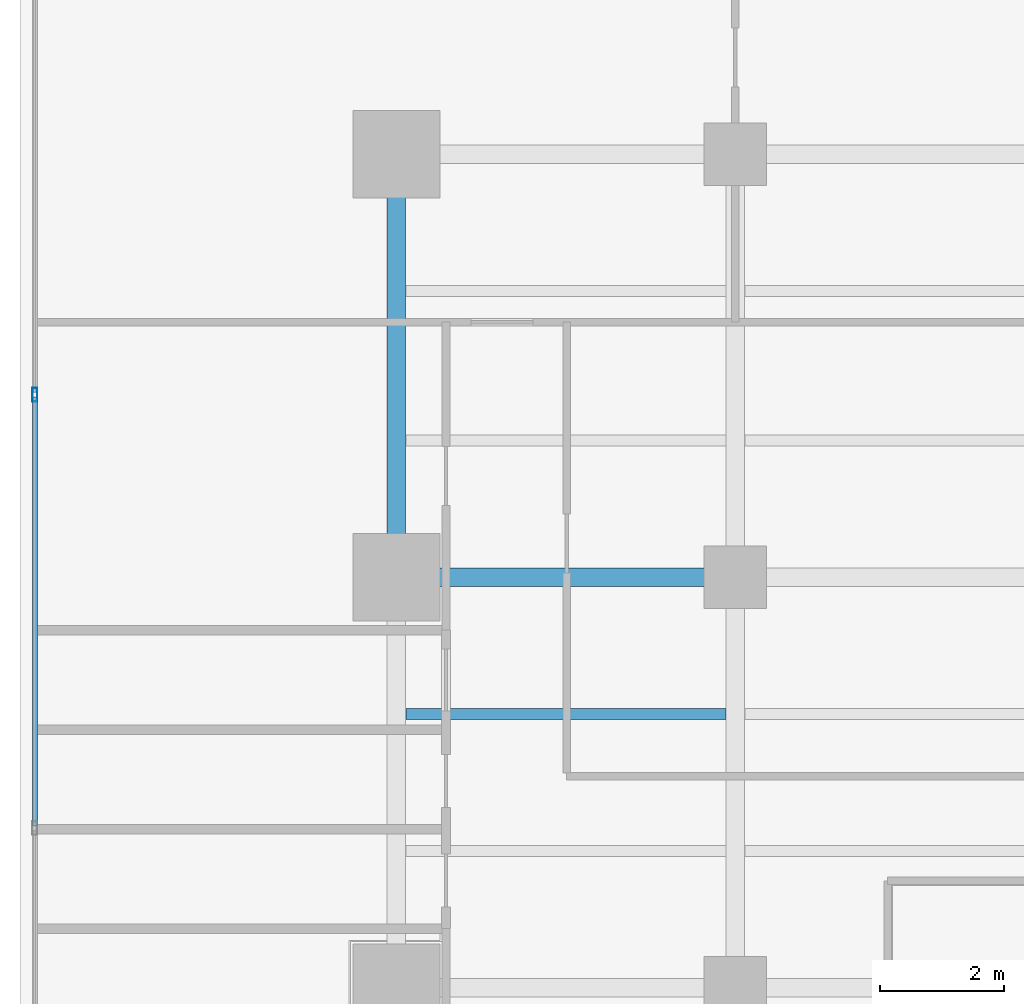
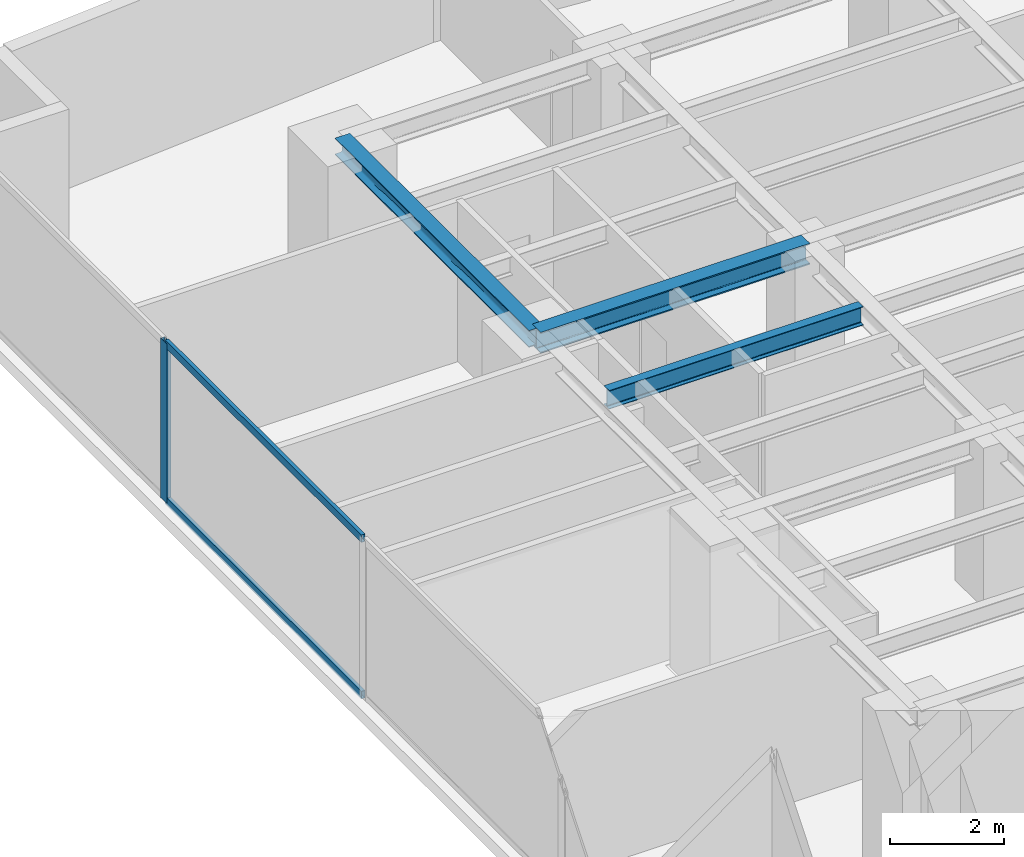
# One storey, part 14 of 25: 3 beams, 3 members, 1 element without a shape of its own.
"""IFC4 building model written with IfcOpenShell, lengths in metres."""

from ifc_helpers import new_model, si_unit, direction, frame, origin, origin_with_axes, origin_2d, place, context, subcontext, project, spatial, hollow_rectangle, i_section, extrude, source, transform, mapped, material, layer, layer_set, material_profile, profile_set, type_object, element, aggregate, save


model = new_model("IFC4")

# Units and contexts
model_context = context("Model", 3, precision=1e-05, world=origin(), true_north=direction((0.0, 1.0)))
body_context = subcontext(model_context, "Body", "Model", "MODEL_VIEW")
ifc_project = project(units=[si_unit("LENGTHUNIT", "METRE"), si_unit("AREAUNIT", "SQUARE_METRE"), si_unit("VOLUMEUNIT", "CUBIC_METRE"), si_unit("PLANEANGLEUNIT", "RADIAN"), si_unit("MASSUNIT", "GRAM", prefix="KILO")], contexts=[model_context])

# Site, building, storey
site_placement = place(None, origin())
site = spatial("IfcSite", under=ifc_project, at=site_placement, CompositionType="ELEMENT")
building_placement = place(site_placement, origin())
building = spatial("IfcBuilding", under=site, at=building_placement, Name="Kolvaren Waterfront Exchange", CompositionType="ELEMENT")
storey_placement = place(building_placement, frame((0.0, 0.0, 137.300048828125)))
storey = spatial("IfcBuildingStorey", under=building, at=storey_placement, Name="L35", CompositionType="ELEMENT", Elevation=137.300048828125)

# Beams
ifc_material_1 = material(Name="Steel S355", Category="steel")
ifc_material_profile_1 = material_profile(ifc_material_1, i_section(OverallWidth=0.300048828125, OverallDepth=0.360107421875, WebThickness=0.012451171875, FlangeThickness=0.0224609375, FilletRadius=0.027099609375, at=origin_2d()), Name="HEB360")
ifc_profile_set_1 = profile_set([ifc_material_profile_1], Name="Steel S355")
beam_type_1 = type_object("IfcBeamType", Name="STR-BM-HEB360", PredefinedType="SPANDREL", material=ifc_profile_set_1)
beam_1_placement = place(storey_placement, frame((7.449951171875, 37.800048828125, 3.239990234375), z_axis=(0.0, 1.0, 0.0), x_axis=(-1.0, 0.0, 0.0)))
element("IfcBeam", 1, at=beam_1_placement, inside=storey, type_object=beam_type_1, Name="L35 north-arm edge beam 3", PredefinedType="SPANDREL", context=body_context, shape_type="SweptSolid", body=[
    extrude(i_section(OverallWidth=0.300048828125, OverallDepth=0.360107421875, WebThickness=0.012451171875, FlangeThickness=0.0224609375, FilletRadius=0.027099609375, at=origin_2d()), origin(), (0.0, 0.0, 1.0), 6.800048828125),
])
ifc_material_profile_2 = material_profile(ifc_material_1, i_section(OverallWidth=0.300048828125, OverallDepth=0.449951171875, WebThickness=0.013916015625, FlangeThickness=0.02587890625, FilletRadius=0.027099609375, at=origin_2d()), Name="HEB450")
ifc_profile_set_2 = profile_set([ifc_material_profile_2], Name="Steel S355")
beam_type_2 = type_object("IfcBeamType", Name="STR-BM-HEB450", PredefinedType="BEAM", material=ifc_profile_set_2)
beam_2_placement = place(storey_placement, frame((7.449951171875, 37.800048828125, 3.195068359375), z_axis=(1.0, 0.0, 0.0), x_axis=(0.0, 1.0, 0.0)))
element("IfcBeam", 2, at=beam_2_placement, inside=storey, type_object=beam_type_2, Name="L35 north-arm girder 3A", PredefinedType="BEAM", context=body_context, shape_type="SweptSolid", body=[
    extrude(i_section(OverallWidth=0.300048828125, OverallDepth=0.449951171875, WebThickness=0.013916015625, FlangeThickness=0.02587890625, FilletRadius=0.027099609375, at=origin_2d()), origin(), (0.0, 0.0, 1.0), 5.449951171875),
])
ifc_material_profile_3 = material_profile(ifc_material_1, i_section(OverallWidth=0.179931640625, OverallDepth=0.39990234375, WebThickness=0.008544921875, FlangeThickness=0.013427734375, FilletRadius=0.02099609375, at=origin_2d()), Name="IPE400")
ifc_profile_set_3 = profile_set([ifc_material_profile_3], Name="Steel S355")
beam_type_3 = type_object("IfcBeamType", Name="STR-BM-IPE400", PredefinedType="JOIST", material=ifc_profile_set_3)
beam_3_placement = place(storey_placement, frame((7.60205078125, 35.60009765625, 3.219970703125), z_axis=(1.0, 0.0, 0.0), x_axis=(0.0, 1.0, 0.0)))
element("IfcBeam", 3, at=beam_3_placement, inside=storey, type_object=beam_type_3, Name="L35 north-arm composite joist 4A", PredefinedType="JOIST", context=body_context, shape_type="SweptSolid", body=[
    extrude(i_section(OverallWidth=0.179931640625, OverallDepth=0.39990234375, WebThickness=0.008544921875, FlangeThickness=0.013427734375, FilletRadius=0.02099609375, at=origin_2d()), origin(), (0.0, 0.0, 1.0), 5.14599609375),
])

# Curtain wall, members
ifc_material_2 = material(Name="Anodised aluminium 6063-T6", Category="aluminium")
ifc_layer = layer(ifc_material_2, 0.219970703125, Name="Anodised aluminium 6063-T6")
ifc_layer_set = layer_set([ifc_layer], Name="Anodised aluminium 6063-T6")
curtain_wall_type = type_object("IfcCurtainWallType", Name="ARC-CW-SYS2", PredefinedType="USERDEFINED", material=ifc_layer_set)
curtain_wall_placement = place(storey_placement, origin())
curtain_wall = element("IfcCurtainWall", 4, at=curtain_wall_placement, inside=storey, type_object=curtain_wall_type, Name="L35 stick curtain wall CW2 (CW-L35-W)", ObjectType="STICK CURTAIN WALL", PredefinedType="USERDEFINED")
ifc_material_profile_4 = material_profile(ifc_material_2, hollow_rectangle(XDim=0.080078125, YDim=0.219970703125, WallThickness=0.0048828125, at=origin_2d()), Name="ALU-MUL-220x80x5")
ifc_profile_set_4 = profile_set([ifc_material_profile_4], Name="Anodised aluminium 6063-T6")
member_type_1 = type_object("IfcMemberType", Name="ARC-CWM-220", PredefinedType="MULLION", material=ifc_profile_set_4)
shared_shape_1 = source(origin_with_axes(), body_context, "Body", "SweptSolid", [
    extrude(hollow_rectangle(XDim=0.080078125, YDim=0.219970703125, WallThickness=0.0048828125, at=origin_2d()), origin(), (0.0, 0.0, 1.0), 3.419921875),
])
member_1_placement = place(storey_placement, frame((1.639892578125, 40.7333984375, 0.0), z_axis=(0.0, 0.0, 1.0), x_axis=(-1.0, 0.0, 0.0)))
member_1 = element("IfcMember", 5, at=member_1_placement, type_object=member_type_1, Name="CW2 mullion 6", PredefinedType="MULLION", context=body_context, shape_type="MappedRepresentation", body=[
    mapped(shared_shape_1, transform((0.0, 0.0, 0.0), x_axis=(1.0, 0.0, 0.0), y_axis=(0.0, 1.0, 0.0), z_axis=(0.0, 0.0, 1.0), scale=1.0)),
])
ifc_material_profile_5 = material_profile(ifc_material_2, hollow_rectangle(XDim=0.074951171875, YDim=0.159912109375, WallThickness=0.00439453125, at=origin_2d()), Name="ALU-TRN-160x75x4.5")
ifc_profile_set_5 = profile_set([ifc_material_profile_5], Name="Anodised aluminium 6063-T6")
member_type_2 = type_object("IfcMemberType", Name="ARC-CWT-160", PredefinedType="USERDEFINED", material=ifc_profile_set_5)
shared_shape_2 = source(origin_with_axes(), body_context, "Body", "SweptSolid", [
    extrude(hollow_rectangle(XDim=0.074951171875, YDim=0.159912109375, WallThickness=0.00439453125, at=origin_2d()), origin(), (0.0, 0.0, 1.0), 6.88671875),
])
member_2_placement = place(storey_placement, frame((1.639892578125, 33.806640625, 0.037353515625), z_axis=(0.0, 1.0, 0.0), x_axis=(-1.0, 0.0, 0.0)))
member_2 = element("IfcMember", 6, at=member_2_placement, type_object=member_type_2, Name="CW2 transom 5.1", ObjectType="TRANSOM", PredefinedType="USERDEFINED", context=body_context, shape_type="MappedRepresentation", body=[
    mapped(shared_shape_2, transform((0.0, 0.0, 0.0), x_axis=(1.0, 0.0, 0.0), y_axis=(0.0, 1.0, 0.0), z_axis=(0.0, 0.0, 1.0), scale=1.0)),
])
member_3_placement = place(storey_placement, frame((1.639892578125, 33.806640625, 3.382568359375), z_axis=(0.0, 1.0, 0.0), x_axis=(-1.0, 0.0, 0.0)))
member_3 = element("IfcMember", 7, at=member_3_placement, type_object=member_type_2, Name="CW2 transom 5.2", ObjectType="TRANSOM", PredefinedType="USERDEFINED", context=body_context, shape_type="MappedRepresentation", body=[
    mapped(shared_shape_2, transform((0.0, 0.0, 0.0), x_axis=(1.0, 0.0, 0.0), y_axis=(0.0, 1.0, 0.0), z_axis=(0.0, 0.0, 1.0), scale=1.0)),
])
aggregate(curtain_wall, [member_1, member_2, member_3])

save(model, "model.ifc")
